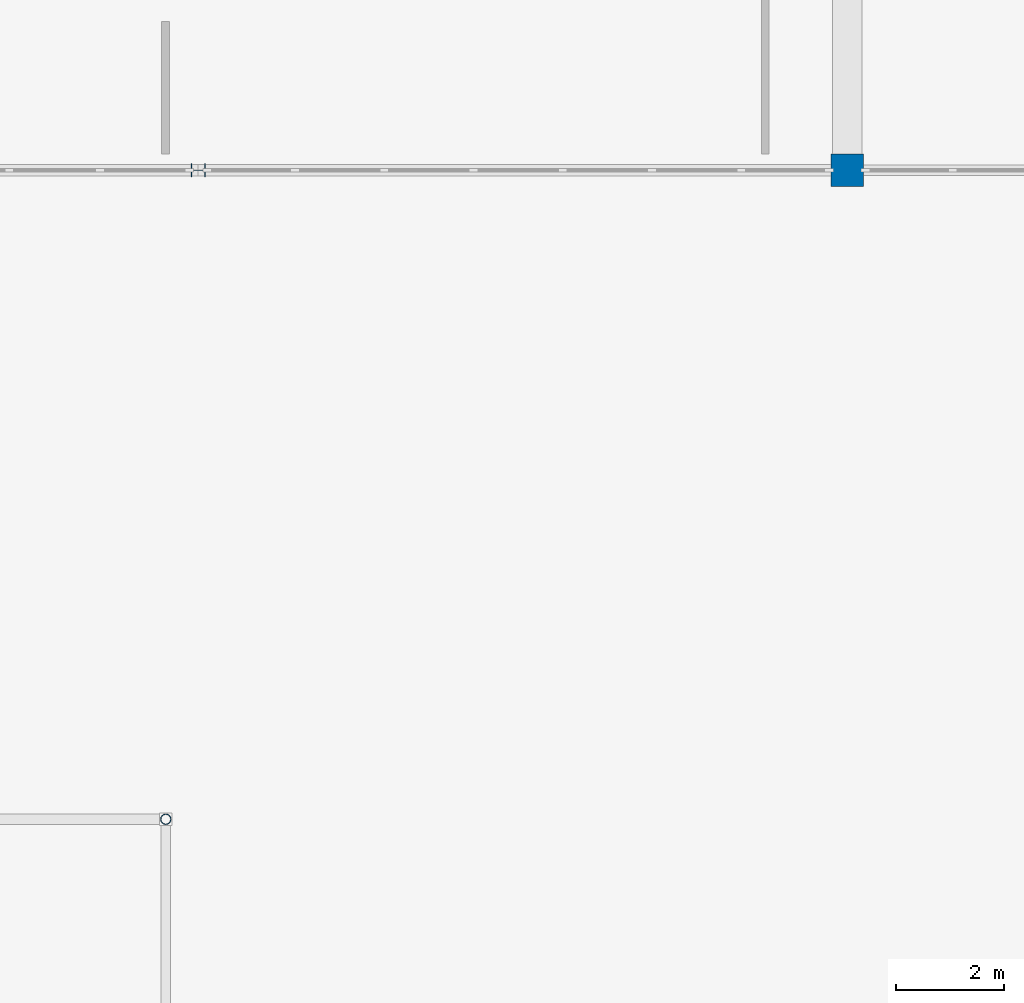
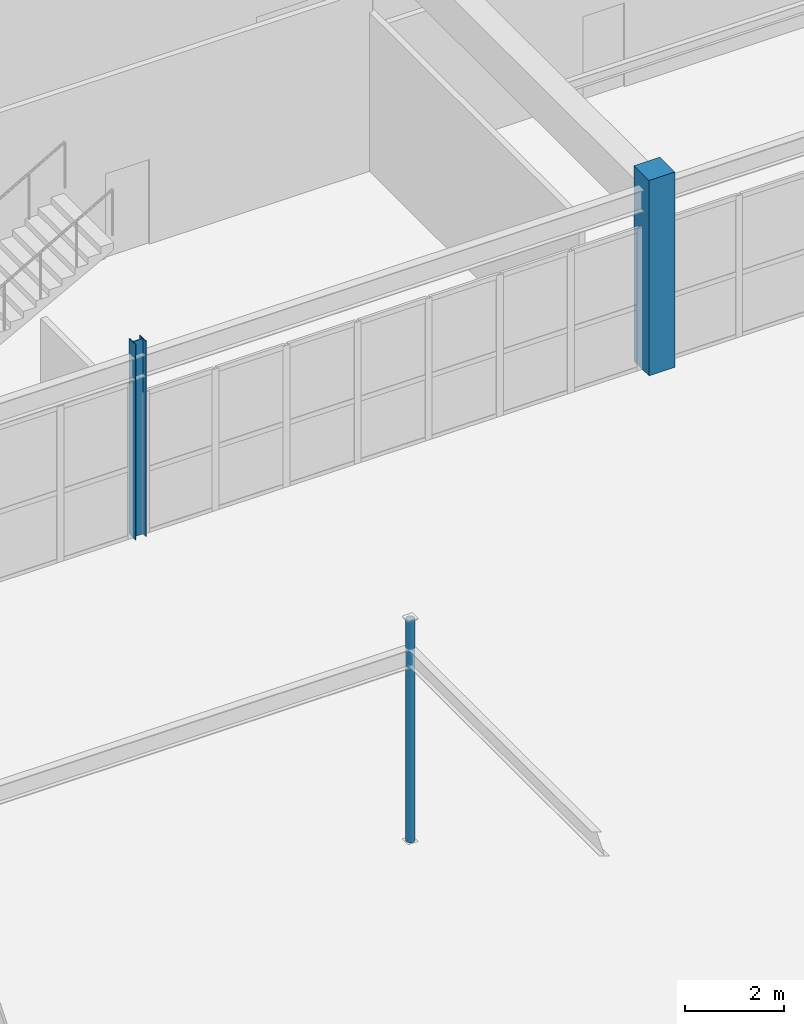
# One storey, part 53 of 199: 3 columns.
"""IFC4 building model written with IfcOpenShell, lengths in metres."""

from ifc_helpers import new_model, si_unit, direction, frame, origin, origin_2d, place, context, subcontext, project, spatial, rectangle, hollow_circle, i_section, extrude, material, material_profile, profile_set, type_object, element, save


model = new_model("IFC4")

# Units and contexts
model_context = context("Model", 3, precision=1e-05, world=origin(), true_north=direction((0.0, 1.0)))
body_context = subcontext(model_context, "Body", "Model", "MODEL_VIEW")
ifc_project = project(units=[si_unit("LENGTHUNIT", "METRE"), si_unit("AREAUNIT", "SQUARE_METRE"), si_unit("VOLUMEUNIT", "CUBIC_METRE"), si_unit("PLANEANGLEUNIT", "RADIAN"), si_unit("MASSUNIT", "GRAM", prefix="KILO")], contexts=[model_context])

# Site, building, storey
site_placement = place(None, origin())
site = spatial("IfcSite", under=ifc_project, at=site_placement, CompositionType="ELEMENT")
building_placement = place(site_placement, origin())
building = spatial("IfcBuilding", under=site, at=building_placement, Name="Tarnwether General Hospital", CompositionType="ELEMENT")
storey_placement = place(building_placement, origin())
storey = spatial("IfcBuildingStorey", under=building, at=storey_placement, Name="L00", CompositionType="ELEMENT", Elevation=0.0)

# Columns
ifc_material_1 = material(Name="Steel Grade 350 (350 MPa)", Category="steel")
ifc_material_profile_1 = material_profile(ifc_material_1, i_section(OverallWidth=0.256103515625, OverallDepth=0.260009765625, WebThickness=0.010498046875, FlangeThickness=0.017333984375, at=origin_2d()), Name="250UC89.5")
ifc_profile_set_1 = profile_set([ifc_material_profile_1], Name="Steel Grade 350 (350 MPa)")
column_type_1 = type_object("IfcColumnType", Name="COL-09", PredefinedType="COLUMN", material=ifc_profile_set_1)
column_1_placement = place(storey_placement, frame((156.0, 81.60009765625, 0.0), z_axis=(0.0, 0.0, 1.0), x_axis=(0.0, 1.0, 0.0)))
element("IfcColumn", 1, at=column_1_placement, inside=storey, type_object=column_type_1, Name="Column COLG-L00-15600_8160", PredefinedType="COLUMN", context=body_context, shape_type="SweptSolid", body=[
    extrude(i_section(OverallWidth=0.256103515625, OverallDepth=0.260009765625, WebThickness=0.010498046875, FlangeThickness=0.017333984375, at=origin_2d()), origin(), (0.0, 0.0, 1.0), 4.800048828125),
])
ifc_material_2 = material(Name="Concrete 50 MPa", Category="concrete")
ifc_material_profile_2 = material_profile(ifc_material_2, rectangle(XDim=0.60009765625, YDim=0.60009765625, at=origin_2d()), Name="RC-COL-600x600")
ifc_profile_set_2 = profile_set([ifc_material_profile_2], Name="Concrete 50 MPa")
column_type_2 = type_object("IfcColumnType", Name="COL-19", PredefinedType="COLUMN", material=ifc_profile_set_2)
column_2_placement = place(storey_placement, frame((168.0, 81.60009765625, 0.0), z_axis=(0.0, 0.0, 1.0), x_axis=(1.0, 0.0, 0.0)))
element("IfcColumn", 2, at=column_2_placement, inside=storey, type_object=column_type_2, Name="Column COLG-L00-16800_8160", PredefinedType="COLUMN", context=body_context, shape_type="SweptSolid", body=[
    extrude(rectangle(XDim=0.60009765625, YDim=0.60009765625, at=origin_2d()), origin(), (0.0, 0.0, 1.0), 4.800048828125),
])
ifc_material_3 = material(Name="Steel Grade C350L0 (350 MPa)", Category="steel")
ifc_material_profile_3 = material_profile(ifc_material_3, hollow_circle(Radius=0.096923828125, WallThickness=0.008056640625, at=origin_2d()), Name="CHS193.7x8.0")
ifc_profile_set_3 = profile_set([ifc_material_profile_3], Name="Steel Grade C350L0 (350 MPa)")
column_type_3 = type_object("IfcColumnType", Name="COL-29", PredefinedType="COLUMN", material=ifc_profile_set_3)
column_3_placement = place(storey_placement, frame((155.39990234375, 69.60009765625, 0.0), z_axis=(0.0, 0.0, 1.0), x_axis=(1.0, 0.0, 0.0)))
element("IfcColumn", 3, at=column_3_placement, inside=storey, type_object=column_type_3, Name="Column COLG-L00-15540_6960", PredefinedType="COLUMN", context=body_context, shape_type="SweptSolid", body=[
    extrude(hollow_circle(Radius=0.096923828125, WallThickness=0.008056640625, at=origin_2d()), origin(), (0.0, 0.0, 1.0), 5.449951171875),
])

save(model, "model.ifc")
